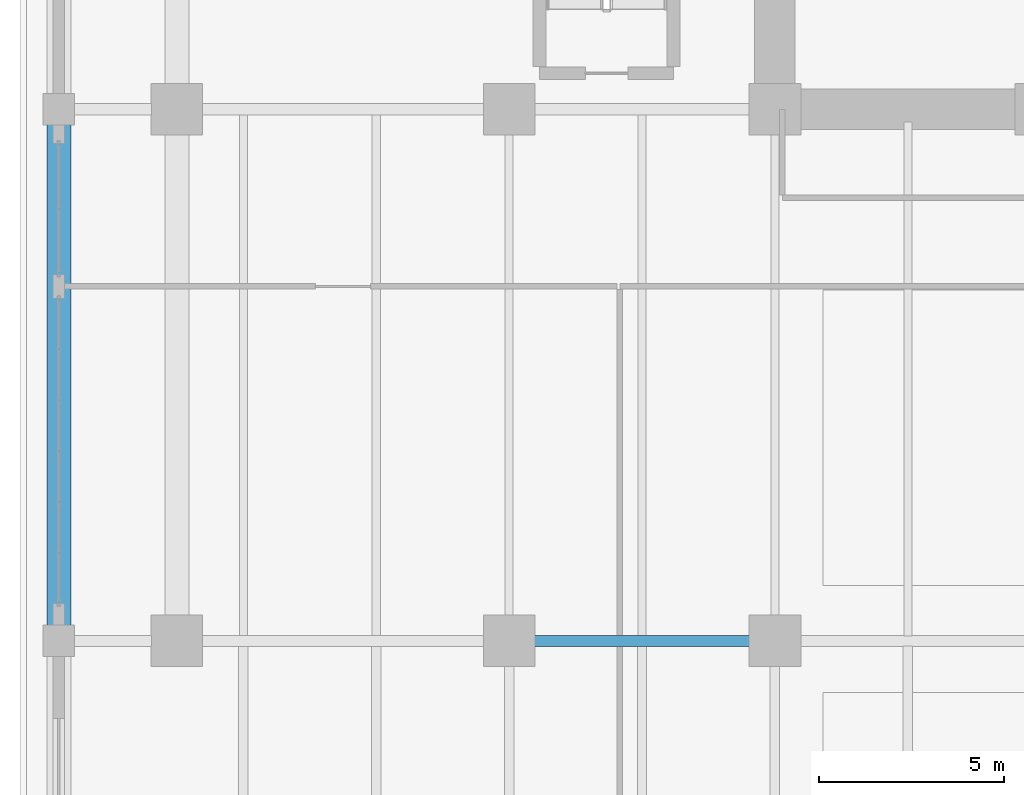
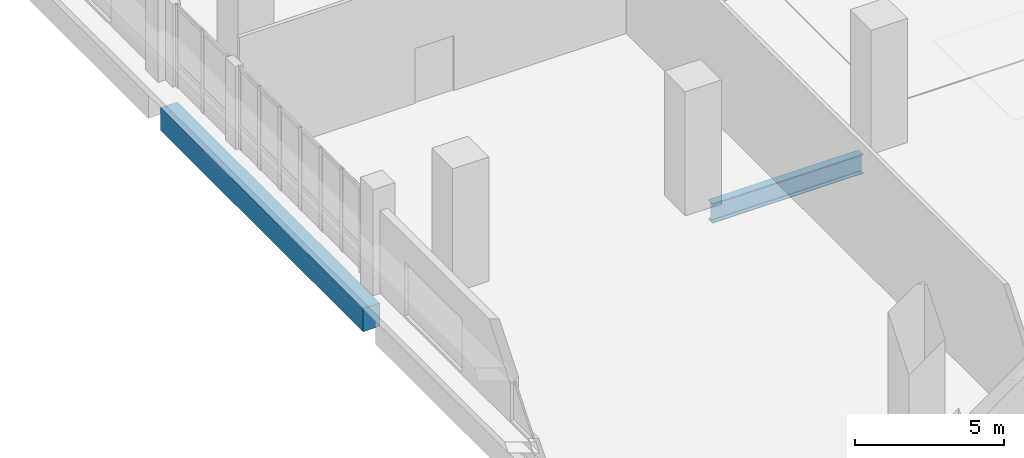
# One storey, part 5 of 25: 2 beams.
"""IFC4 building model written with IfcOpenShell, lengths in metres."""

from ifc_helpers import new_model, si_unit, direction, frame, origin, origin_2d, place, context, subcontext, project, spatial, rectangle, i_section, extrude, material, material_profile, profile_set, type_object, element, save


model = new_model("IFC4")

# Units and contexts
model_context = context("Model", 3, precision=1e-05, world=origin(), true_north=direction((0.0, 1.0)))
body_context = subcontext(model_context, "Body", "Model", "MODEL_VIEW")
ifc_project = project(units=[si_unit("LENGTHUNIT", "METRE"), si_unit("AREAUNIT", "SQUARE_METRE"), si_unit("VOLUMEUNIT", "CUBIC_METRE"), si_unit("PLANEANGLEUNIT", "RADIAN"), si_unit("MASSUNIT", "GRAM", prefix="KILO")], contexts=[model_context])

# Site, building, storey
site_placement = place(None, origin())
site = spatial("IfcSite", under=ifc_project, at=site_placement, CompositionType="ELEMENT")
building_placement = place(site_placement, origin())
building = spatial("IfcBuilding", under=site, at=building_placement, Name="Kaelvorn Grand Hotel", CompositionType="ELEMENT")
storey_placement = place(building_placement, frame((0.0, 0.0, 14.0)))
storey = spatial("IfcBuildingStorey", under=building, at=storey_placement, Name="L02", CompositionType="ELEMENT", Elevation=14.0)

# Beams
ifc_material_1 = material(Name="Steel S355", Category="steel")
ifc_material_profile_1 = material_profile(ifc_material_1, i_section(OverallWidth=0.300048828125, OverallDepth=0.800048828125, WebThickness=0.017578125, FlangeThickness=0.032958984375, FilletRadius=0.030029296875, at=origin_2d()), Name="HEB 800")
ifc_profile_set_1 = profile_set([ifc_material_profile_1], Name="Steel S355")
beam_type_1 = type_object("IfcBeamType", Name="BM-G-HEB800-S355", PredefinedType="BEAM", material=ifc_profile_set_1)
beam_1_placement = place(storey_placement, frame((9.68505859375, 15.0, -0.719970703125), z_axis=(1.0, 0.0, 0.0), x_axis=(0.0, 1.0, 0.0)))
element("IfcBeam", 1, at=beam_1_placement, inside=storey, type_object=beam_type_1, Name="L02 Primary Spine Steel Girder G-15 03", PredefinedType="BEAM", context=body_context, shape_type="SweptSolid", body=[
    extrude(i_section(OverallWidth=0.300048828125, OverallDepth=0.800048828125, WebThickness=0.017578125, FlangeThickness=0.032958984375, FilletRadius=0.030029296875, at=origin_2d()), origin(), (0.0, 0.0, 1.0), 5.829833984375),
])
ifc_material_2 = material(Name="Concrete C60/75", Category="concrete")
ifc_material_profile_2 = material_profile(ifc_material_2, rectangle(XDim=0.64990234375, YDim=0.949951171875, at=origin_2d()), Name="RC SPANDREL 650x950")
ifc_profile_set_2 = profile_set([ifc_material_profile_2], Name="Concrete C60/75")
beam_type_2 = type_object("IfcBeamType", Name="BM-SP-650x950-C60", PredefinedType="SPANDREL", material=ifc_profile_set_2)
beam_2_placement = place(storey_placement, frame((-3.199951171875, 15.409912109375, -0.794921875), z_axis=(0.0, 1.0, 0.0), x_axis=(-1.0, 0.0, 0.0)))
element("IfcBeam", 2, at=beam_2_placement, inside=storey, type_object=beam_type_2, Name="L02 West Perimeter Spandrel 02", PredefinedType="SPANDREL", context=body_context, shape_type="SweptSolid", body=[
    extrude(rectangle(XDim=0.64990234375, YDim=0.949951171875, at=origin_2d()), origin(), (0.0, 0.0, 1.0), 13.580078125),
])

save(model, "model.ifc")
